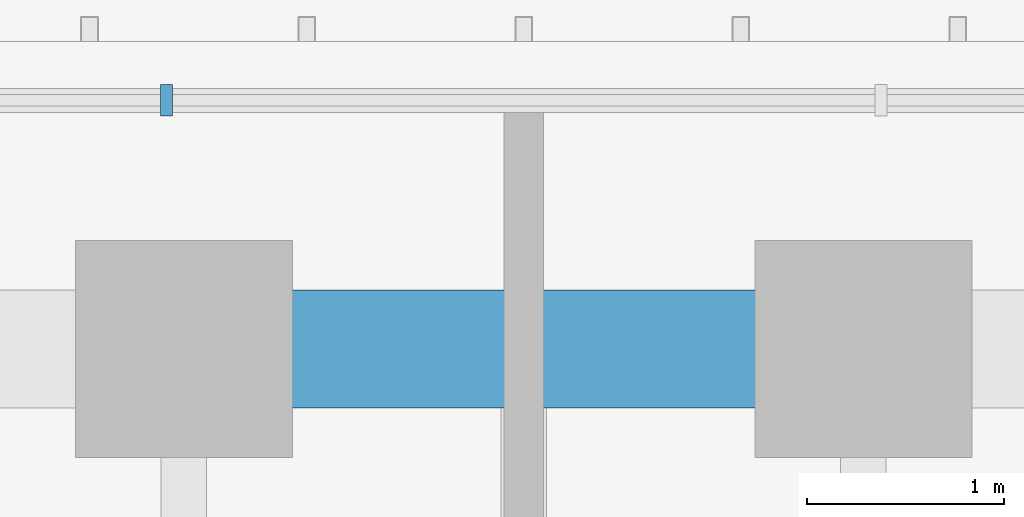
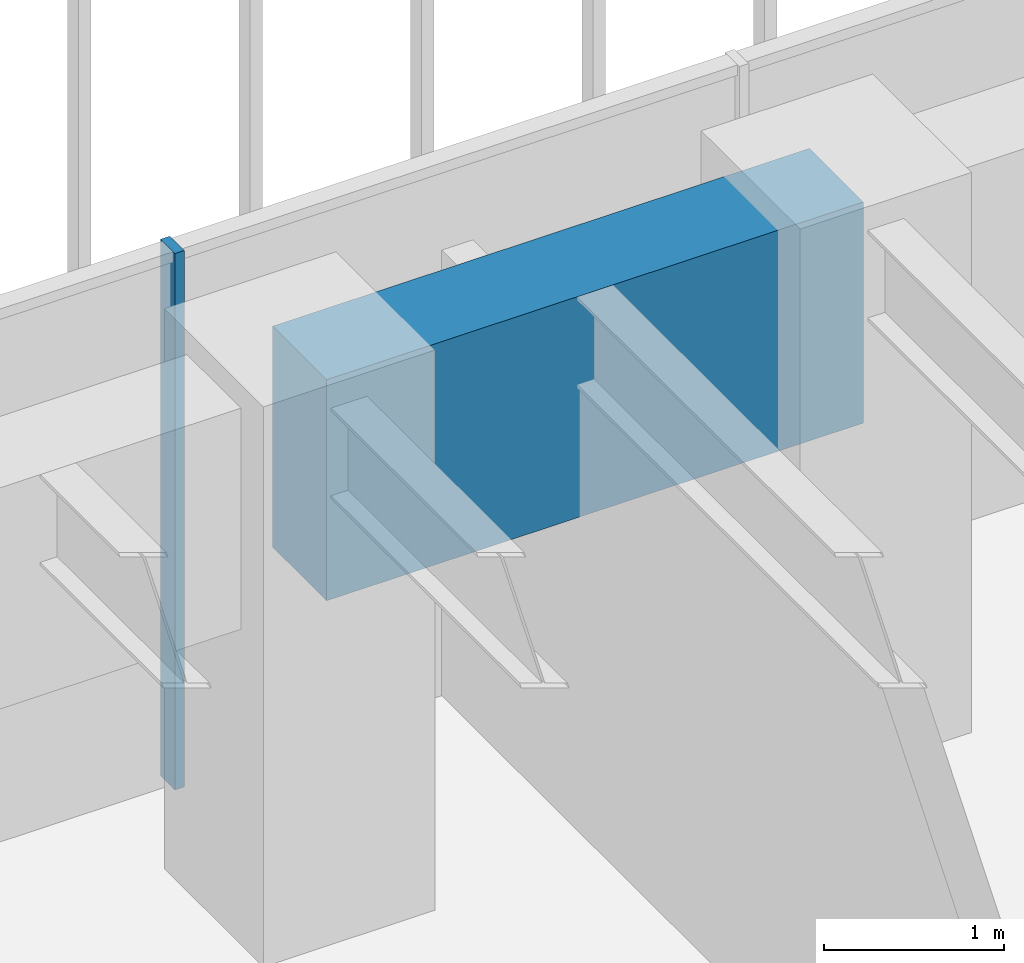
# One storey, part 81 of 127: 1 beam, 1 member, 1 element without a shape of its own.
"""IFC4 building model written with IfcOpenShell, lengths in metres."""

import ifcopenshell
import ifcopenshell.guid

model = None  # the IFC model being written
_history = None  # IfcOwnerHistory: only IFC2X3 demands one
_inside = {}  # id of a spatial element -> (the spatial element, [elements in it])
_under = {}  # id of a project, library or spatial element -> (it, [spatial elements below it])
_declared = {}  # id of a project -> (the project, [libraries it declares])
_typed = {}  # id of a type object -> (the type object, [elements of that type])
_made_of = {}  # id of a material, layer set ... -> (it, [elements and type objects made of it])


def new_model(schema):
    """Start an empty IFC model of exactly this schema.

    Asked for "IFC4X3", IfcOpenShell would pick the latest addendum, in which some entities
    have other attributes; the version numbers below select the first issue.
    IFC2X3 requires an IfcOwnerHistory on every rooted entity: one is made here for all.
    """
    global model, _history
    if schema == "IFC4X3":
        model = ifcopenshell.file(schema_version=(4, 3, 0, 0))
    else:
        model = ifcopenshell.file(schema=schema)
    _inside.clear()
    _under.clear()
    _declared.clear()
    _typed.clear()
    _made_of.clear()
    _history = None
    if model.schema == "IFC2X3":
        org = make("IfcOrganization", Name="unknown")
        user = make(
            "IfcPersonAndOrganization",
            ThePerson=make("IfcPerson", FamilyName="unknown"),
            TheOrganization=org,
        )
        app = make(
            "IfcApplication",
            ApplicationDeveloper=org,
            Version="unknown",
            ApplicationFullName="unknown",
            ApplicationIdentifier="unknown",
        )
        _history = make(
            "IfcOwnerHistory",
            OwningUser=user,
            OwningApplication=app,
            ChangeAction="ADDED",
            CreationDate=0,
        )
    return model


def make(cls, **values):
    """One entity of the class cls with the attributes given. An attribute that is None is left unset."""
    return model.create_entity(
        cls, **{name: value for name, value in values.items() if value is not None}
    )


def rooted(cls, **values):
    """An entity with a GlobalId (a new one), such as an element, a storey or a relation."""
    return make(cls, GlobalId=ifcopenshell.guid.new(), OwnerHistory=_history, **values)


def si_unit(unit_type, name, prefix=None):
    """IfcSIUnit, for example si_unit("LENGTHUNIT", "METRE", prefix="MILLI")."""
    return make("IfcSIUnit", UnitType=unit_type, Prefix=prefix, Name=name)


def assignment(units):
    """IfcUnitAssignment: the units of a project."""
    return None if units is None else make("IfcUnitAssignment", Units=units)


def point(xyz):
    """IfcCartesianPoint."""
    return None if xyz is None else make("IfcCartesianPoint", Coordinates=xyz)


def direction(xyz):
    """IfcDirection."""
    return None if xyz is None else make("IfcDirection", DirectionRatios=xyz)


def frame(location, z_axis=None, x_axis=None):
    """IfcAxis2Placement3D, a coordinate frame: its origin and axes. An axis left out is left unset."""
    return make(
        "IfcAxis2Placement3D",
        Location=point(location),
        Axis=direction(z_axis),
        RefDirection=direction(x_axis),
    )


def frame_2d(location, x_axis=None):
    """IfcAxis2Placement2D, a coordinate frame in the plane: its origin and x axis."""
    return make(
        "IfcAxis2Placement2D", Location=point(location), RefDirection=direction(x_axis)
    )


def origin():
    """The frame at (0, 0, 0) with its axes left unset."""
    return frame((0.0, 0.0, 0.0))


def origin_2d():
    """The frame at (0, 0) in the plane with its x axis left unset."""
    return frame_2d((0.0, 0.0))


def place(relative_to, where):
    """IfcLocalPlacement: puts the frame where relative to a parent placement (None: the world)."""
    return make(
        "IfcLocalPlacement", PlacementRelTo=relative_to, RelativePlacement=where
    )


def context(
    kind, dimensions, precision=None, world=None, true_north=None, identifier=None
):
    """IfcGeometricRepresentationContext, for example the 3D "Model" context."""
    return make(
        "IfcGeometricRepresentationContext",
        ContextIdentifier=identifier,
        ContextType=kind,
        CoordinateSpaceDimension=dimensions,
        Precision=precision,
        WorldCoordinateSystem=world,
        TrueNorth=true_north,
    )


def subcontext(parent, identifier, kind, view, scale=None):
    """IfcGeometricRepresentationSubContext, for example "Body" below "Model"."""
    return make(
        "IfcGeometricRepresentationSubContext",
        ContextIdentifier=identifier,
        ContextType=kind,
        ParentContext=parent,
        TargetScale=scale,
        TargetView=view,
    )


def project(units=None, contexts=None):
    """IfcProject with its units and contexts."""
    return rooted(
        "IfcProject",
        Name="project",
        RepresentationContexts=contexts,
        UnitsInContext=assignment(units),
    )


def spatial(cls, under=None, at=None, **own):
    """A site, building, storey or space (cls), placed at a placement, below another one or the project."""
    s = rooted(cls, ObjectPlacement=at, **own)
    if under is not None:
        _under.setdefault(under.id(), (under, []))[1].append(s)
    return s


def profile(cls, at=None, kind="AREA", **sizes):
    """A parametric profile (cls). Its sizes go by their IFC names, for example OverallWidth=200.0."""
    return make(cls, ProfileType=kind, Position=at, **sizes)


def rectangle(**sizes):
    """IfcRectangleProfileDef."""
    return profile("IfcRectangleProfileDef", **sizes)


def extrude(swept, where, along, depth):
    """IfcExtrudedAreaSolid: the profile swept, set in the frame where, extruded along a direction by depth."""
    return make(
        "IfcExtrudedAreaSolid",
        SweptArea=swept,
        Position=where,
        ExtrudedDirection=direction(along),
        Depth=depth,
    )


def shape(context_of_items, identifier, shape_type, items):
    """IfcShapeRepresentation: the items that make up one representation, for example the "Body"."""
    return make(
        "IfcShapeRepresentation",
        ContextOfItems=context_of_items,
        RepresentationIdentifier=identifier,
        RepresentationType=shape_type,
        Items=items,
    )


def material(Name=None, Category=None):
    """IfcMaterial."""
    return make("IfcMaterial", Name=Name, Category=Category)


def material_profile(
    of_material, cross_section, Name=None, Category=None, Priority=None
):
    """IfcMaterialProfile: a cross section and its material."""
    return make(
        "IfcMaterialProfile",
        Name=Name,
        Material=of_material,
        Profile=cross_section,
        Priority=Priority,
        Category=Category,
    )


def profile_set(profiles, Name=None, composite=None):
    """IfcMaterialProfileSet."""
    return make(
        "IfcMaterialProfileSet",
        Name=Name,
        MaterialProfiles=profiles,
        CompositeProfile=composite,
    )


def made_of(thing, what):
    """Note that an element or type object is made of a material, layer set ...; save() writes the relation."""
    if what is not None:
        _made_of.setdefault(what.id(), (what, []))[1].append(thing)
    return thing


def type_object(cls, material=None, **own):
    """A type object (cls), such as IfcWallType, which elements share."""
    return made_of(rooted(cls, **own), material)


def element(
    cls,
    number,
    at=None,
    inside=None,
    cuts=None,
    type_object=None,
    material=None,
    context=None,
    identifier="Body",
    shape_type=None,
    held_by="IfcProductDefinitionShape",
    body=None,
    shapes=None,
    **own,
):
    """One element of the class cls, such as IfcWall. Its Tag is "e" and its number.

    at: its placement. inside: the storey or other place that contains it. cuts: it is an
    opening in that element (IfcRelVoidsElement). A single representation is given by context,
    identifier, shape_type and body (its items); several are given by shapes. held_by: the class
    of the entity that holds the representations. save() writes the other relations.
    """
    e = rooted(cls, Tag="e%d" % number, ObjectPlacement=at, **own)
    if body is not None:
        shapes = [shape(context, identifier, shape_type, body)]
    if shapes is not None:
        e.Representation = make(held_by, Representations=shapes)
    if inside is not None:
        _inside.setdefault(inside.id(), (inside, []))[1].append(e)
    if cuts is not None:
        rooted(
            "IfcRelVoidsElement", RelatingBuildingElement=cuts, RelatedOpeningElement=e
        )
    if type_object is not None:
        _typed.setdefault(type_object.id(), (type_object, []))[1].append(e)
    return made_of(e, material)


def aggregate(whole, parts):
    """IfcRelAggregates: a whole, such as a stair, and the parts it consists of."""
    return rooted("IfcRelAggregates", RelatingObject=whole, RelatedObjects=parts)


def save(model, path):
    """Write the relations noted so far, then the file.

    IfcRelAggregates (storeys below a building ...), IfcRelContainedInSpatialStructure (elements
    in a storey), IfcRelDefinesByType, IfcRelAssociatesMaterial and IfcRelDeclares: one each for
    every whole, place, type object, material and project.
    """
    for whole, parts in _under.values():
        aggregate(whole, parts)
    for where, things in _inside.values():
        rooted(
            "IfcRelContainedInSpatialStructure",
            RelatedElements=things,
            RelatingStructure=where,
        )
    for kind, things in _typed.values():
        rooted("IfcRelDefinesByType", RelatedObjects=things, RelatingType=kind)
    for what, things in _made_of.values():
        rooted("IfcRelAssociatesMaterial", RelatedObjects=things, RelatingMaterial=what)
    for by, libraries in _declared.values():
        rooted("IfcRelDeclares", RelatingContext=by, RelatedDefinitions=libraries)
    model.write(path)


model = new_model("IFC4")

# Units and contexts
model_context = context("Model", 3, precision=1e-05, world=origin(), true_north=direction((0.0, 1.0)))
body_context = subcontext(model_context, "Body", "Model", "MODEL_VIEW")
ifc_project = project(units=[si_unit("LENGTHUNIT", "METRE"), si_unit("AREAUNIT", "SQUARE_METRE"), si_unit("VOLUMEUNIT", "CUBIC_METRE"), si_unit("PLANEANGLEUNIT", "RADIAN"), si_unit("MASSUNIT", "GRAM", prefix="KILO")], contexts=[model_context])

# Site, building, storey
site_placement = place(None, origin())
site = spatial("IfcSite", under=ifc_project, at=site_placement, CompositionType="ELEMENT")
building_placement = place(site_placement, origin())
building = spatial("IfcBuilding", under=site, at=building_placement, Name="Sandreach Pilgrim Tower", CompositionType="ELEMENT")
storey_placement = place(building_placement, frame((0.0, 0.0, 257.0)))
storey = spatial("IfcBuildingStorey", under=building, at=storey_placement, Name="L64", CompositionType="ELEMENT", Elevation=257.0)

# Curtain wall, member
ifc_material_1 = material(Name="Aluminium framed curtain wall", Category="aluminium")
curtain_wall_type = type_object("IfcCurtainWallType", Name="Suite tower curtain wall", PredefinedType="NOTDEFINED", material=ifc_material_1)
curtain_wall_placement = place(storey_placement, origin())
curtain_wall = element("IfcCurtainWall", 1, at=curtain_wall_placement, inside=storey, type_object=curtain_wall_type, Name="CW-4 L64 N", PredefinedType="NOTDEFINED")
ifc_material_2 = material(Name="Aluminium extrusion", Category="aluminium")
ifc_material_profile_1 = material_profile(ifc_material_2, rectangle(XDim=0.06005859375, YDim=0.159912109375, at=origin_2d()), Name="CW-4M 60X160")
ifc_profile_set_1 = profile_set([ifc_material_profile_1], Name="Aluminium extrusion")
member_type = type_object("IfcMemberType", Name="CW-4 mullion", PredefinedType="MULLION", material=ifc_profile_set_1)
member_placement = place(storey_placement, frame((-1.81103515625, 19.826416015625, 0.0), z_axis=(0.0, 0.0, 1.0), x_axis=(1.0, 0.0, 0.0)))
member = element("IfcMember", 2, at=member_placement, type_object=member_type, Name="CW-4 mullion 5", PredefinedType="MULLION", context=body_context, shape_type="SweptSolid", body=[
    extrude(rectangle(XDim=0.06005859375, YDim=0.159912109375, at=origin_2d()), origin(), (0.0, 0.0, 1.0), 3.639892578125),
])
aggregate(curtain_wall, [member])

# Beam
ifc_material_3 = material(Name="Concrete 10000 psi", Category="concrete")
ifc_material_profile_2 = material_profile(ifc_material_3, rectangle(XDim=0.60009765625, YDim=1.5, at=origin_2d()), Name="RC600X1500")
ifc_profile_set_2 = profile_set([ifc_material_profile_2], Name="Concrete 10000 psi")
beam_type = type_object("IfcBeamType", Name="Spandrel beam RC600X1500", PredefinedType="SPANDREL", material=ifc_profile_set_2)
beam_placement = place(storey_placement, frame((-1.722412109375, 18.56640625, 2.889892578125), z_axis=(1.0, 0.0, 0.0), x_axis=(0.0, 1.0, 0.0)))
element("IfcBeam", 3, at=beam_placement, inside=storey, type_object=beam_type, Name="BM L64 SP04", PredefinedType="SPANDREL", context=body_context, shape_type="SweptSolid", body=[
    extrude(rectangle(XDim=0.60009765625, YDim=1.5, at=origin_2d()), origin(), (0.0, 0.0, 1.0), 3.44482421875),
])

save(model, "model.ifc")
